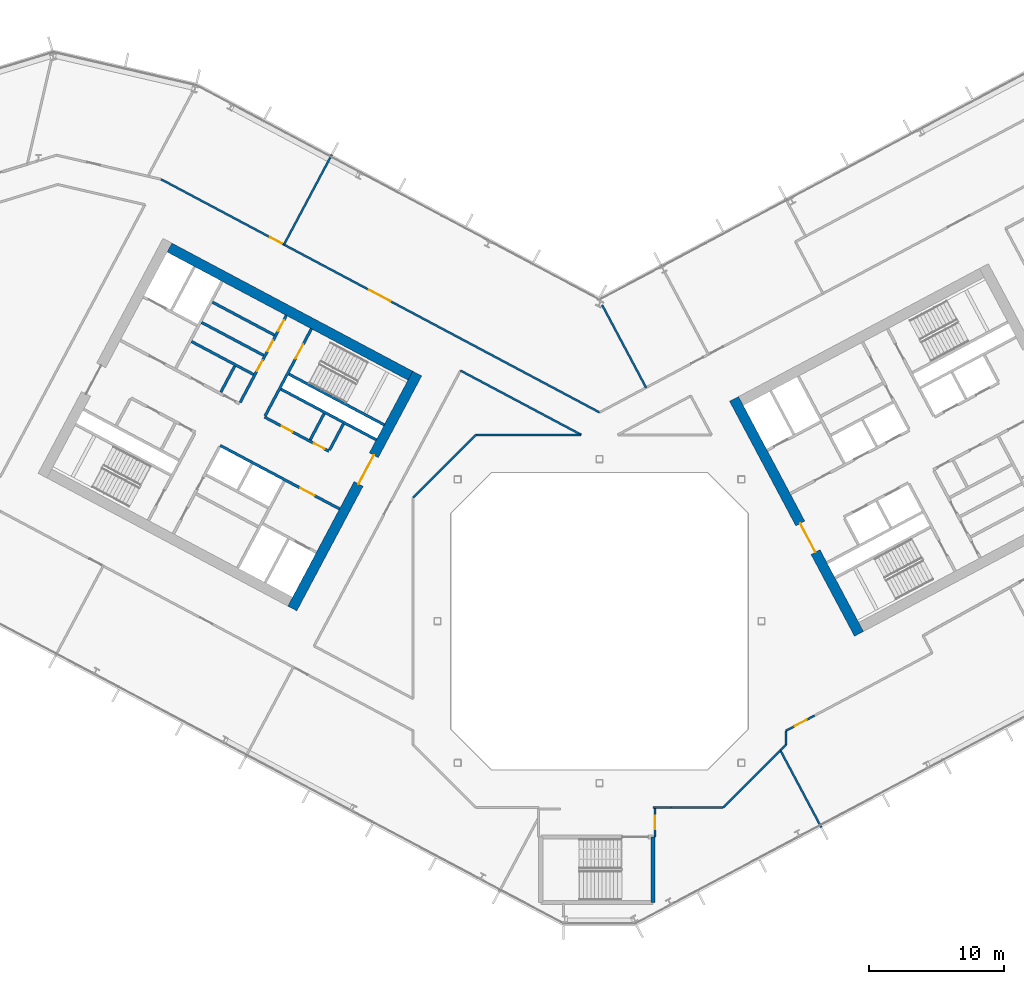
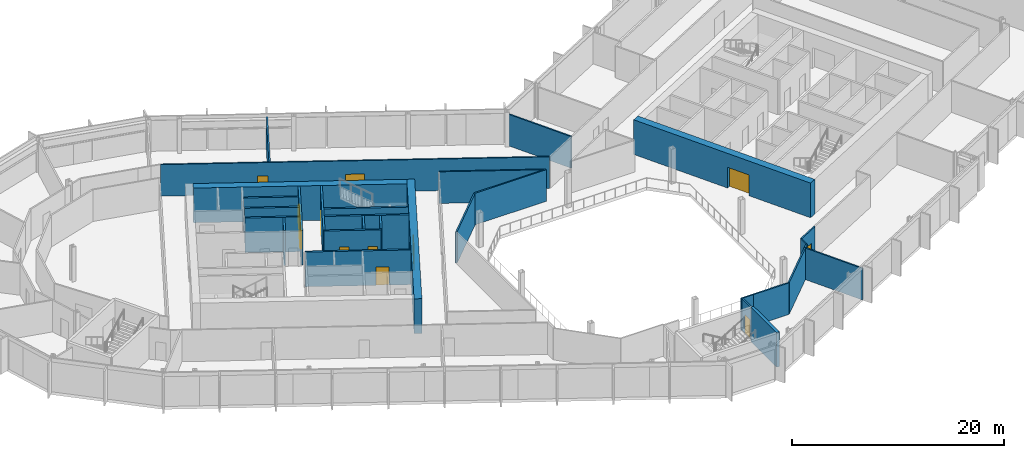
# One storey, part 15 of 28: 30 walls, 13 doors, 13 openings.
"""IFC4 building model written with IfcOpenShell, lengths in metres."""

from ifc_helpers import new_model, si_unit, direction, frame, frame_2d, origin, place, context, subcontext, project, spatial, rectangle, extrude, material, layer, layer_set, type_object, element, fill, save


model = new_model("IFC4")

# Units and contexts
model_context = context("Model", 3, precision=1e-05, world=origin(), true_north=direction((0.0, 1.0)))
body_context = subcontext(model_context, "Body", "Model", "MODEL_VIEW")
ifc_project = project(units=[si_unit("LENGTHUNIT", "METRE"), si_unit("AREAUNIT", "SQUARE_METRE"), si_unit("VOLUMEUNIT", "CUBIC_METRE"), si_unit("PLANEANGLEUNIT", "RADIAN"), si_unit("MASSUNIT", "GRAM", prefix="KILO")], contexts=[model_context])

# Site, building, storey
site_placement = place(None, origin())
site = spatial("IfcSite", under=ifc_project, at=site_placement, CompositionType="ELEMENT")
building_placement = place(site_placement, origin())
building = spatial("IfcBuilding", under=site, at=building_placement, Name="Cormorant Relay Tower", CompositionType="ELEMENT")
storey_placement = place(building_placement, frame((0.0, 0.0, 126.199951171875)))
storey = spatial("IfcBuildingStorey", under=building, at=storey_placement, Name="L25", CompositionType="ELEMENT", Elevation=126.199951171875)

# Walls
ifc_material_1 = material(Name="Concrete 40 MPa", Category="concrete")
ifc_layer_1 = layer(ifc_material_1, 0.199951171875)
ifc_layer_set_1 = layer_set([ifc_layer_1], Name="Core internal wall 200")
wall_type_1 = type_object("IfcWallType", Name="Core internal wall 200", PredefinedType="SOLIDWALL", material=ifc_layer_set_1)
for number, where, z_axis, x_axis, name in (
    (1, (-20.39013671875, 15.371826171875, 0.0), (0.0, 0.0, 1.0), (-0.4694473164, -0.882960484464, 0.0), "L25 core A shaft and room wall"),
    (2, (-27.01220703125, 18.892822265625, 0.0), (0.0, 0.0, 1.0), (-0.4694473164, -0.882960484464, 0.0), "L25 core A shaft and room wall"),
):
    element("IfcWall", number, at=place(storey_placement, frame(where, z_axis=z_axis, x_axis=x_axis)), inside=storey, type_object=wall_type_1, Name=name, PredefinedType="SOLIDWALL", context=body_context, shape_type="SweptSolid", body=[
        extrude(rectangle(XDim=2.199951171875, YDim=0.199951171875, at=frame_2d((1.10009765625, 0.0))), origin(), (0.0, 0.0, 1.0), 4.0),
    ])
for number, where, z_axis, x_axis, name in (
    (3, (-24.073974609375, 21.181396484375, 0.0), (0.0, 0.0, 1.0), (-0.882953967957, 0.469459572775, 0.0), "L25 core A shaft and room wall"),
    (4, (-24.8720703125, 19.680419921875, 0.0), (0.0, 0.0, 1.0), (-0.882953967957, 0.469459572775, 0.0), "L25 core A shaft and room wall"),
):
    element("IfcWall", number, at=place(storey_placement, frame(where, z_axis=z_axis, x_axis=x_axis)), inside=storey, type_object=wall_type_1, Name=name, PredefinedType="SOLIDWALL", context=body_context, shape_type="SweptSolid", body=[
        extrude(rectangle(XDim=5.199951171875, YDim=0.199951171875, at=frame_2d((2.60009765625, 0.0))), origin(), (0.0, 0.0, 1.0), 4.0),
    ])
ifc_material_2 = material(Name="Concrete 50 MPa", Category="concrete")
ifc_layer_2 = layer(ifc_material_2, 0.199951171875)
ifc_layer_set_2 = layer_set([ifc_layer_2], Name="Core shaft wall 200")
wall_type_2 = type_object("IfcWallType", Name="Core shaft wall 200", PredefinedType="SHEAR", material=ifc_layer_set_2)
wall_1_placement = place(storey_placement, frame((-18.959716796875, 14.611328125, 0.0), z_axis=(0.0, 0.0, 1.0), x_axis=(-0.4694473164, -0.882960484464, 0.0)))
element("IfcWall", 5, at=wall_1_placement, inside=storey, type_object=wall_type_2, Name="L25 core A shaft wall", PredefinedType="SHEAR", context=body_context, shape_type="SweptSolid", body=[
    extrude(rectangle(XDim=2.199951171875, YDim=0.199951171875, at=frame_2d((1.10009765625, 0.0))), origin(), (0.0, 0.0, 1.0), 4.0),
])

# Wall, opening, door
wall_2_placement = place(storey_placement, frame((-21.333251953125, 21.6494140625, 0.0), z_axis=(0.0, 0.0, 1.0), x_axis=(-0.469494272526, -0.882935517501, 0.0)))
wall_2 = element("IfcWall", 6, at=wall_2_placement, inside=storey, type_object=wall_type_2, Name="L25 core A shaft wall", PredefinedType="SHEAR", context=body_context, shape_type="SweptSolid", body=[
    extrude(rectangle(XDim=7.2998046875, YDim=0.199951171875, at=frame_2d((3.64990234375, 0.0))), origin(), (0.0, 0.0, 1.0), 4.0),
])
opening_1_placement = place(wall_2_placement, frame((1.300048828125, 0.0, 0.0)))
opening_1 = element("IfcOpeningElement", 7, at=opening_1_placement, cuts=wall_2, Name="Opening CDB-034", PredefinedType="OPENING", context=body_context, shape_type="SweptSolid", body=[
    extrude(rectangle(XDim=1.199951171875, YDim=2.10009765625, at=frame_2d((0.60009765625, 1.050048828125))), frame((0.0, 0.10986328125, 0.0), z_axis=(0.0, -1.0, 0.0), x_axis=(1.0, 0.0, 0.0)), (0.0, 0.0, 1.0), 0.219970703125),
])
ifc_material_3 = material(Name="Steel fire door", Category="steel")
door_type_1 = type_object("IfcDoorType", Name="Core stair door 1200x2100", OperationType="SINGLE_SWING_LEFT", PredefinedType="DOOR", material=ifc_material_3)
door_1_placement = place(opening_1_placement, origin())
door_1 = element("IfcDoor", 8, at=door_1_placement, inside=storey, type_object=door_type_1, Name="Core stair door 1200x2100", OperationType="SINGLE_SWING_RIGHT", OverallHeight=2.10009765625, OverallWidth=1.199951171875, PredefinedType="DOOR", context=body_context, shape_type="SweptSolid", body=[
    extrude(rectangle(XDim=1.199951171875, YDim=2.10009765625, at=frame_2d((0.60009765625, 1.050048828125))), frame((0.0, 0.02490234375, 0.0), z_axis=(0.0, -1.0, 0.0), x_axis=(1.0, 0.0, 0.0)), (0.0, 0.0, 1.0), 0.050048828125),
])
fill(opening_1, door_1)

# Wall, openings, doors
wall_3_placement = place(storey_placement, frame((-23.1875, 22.635498046875, 0.0), z_axis=(0.0, 0.0, 1.0), x_axis=(-0.469454336211, -0.882956752176, 0.0)))
wall_3 = element("IfcWall", 9, at=wall_3_placement, inside=storey, type_object=wall_type_2, Name="L25 core A shaft wall", PredefinedType="SHEAR", context=body_context, shape_type="SweptSolid", body=[
    extrude(rectangle(XDim=7.300048828125, YDim=0.199951171875, at=frame_2d((3.64990234375, 0.0))), origin(), (0.0, 0.0, 1.0), 4.0),
])
opening_2_placement = place(wall_3_placement, frame((0.39990234375, 0.0, 0.0)))
opening_2 = element("IfcOpeningElement", 10, at=opening_2_placement, cuts=wall_3, Name="Opening CDD-174", PredefinedType="OPENING", context=body_context, shape_type="SweptSolid", body=[
    extrude(rectangle(XDim=0.89990234375, YDim=2.10009765625, at=frame_2d((0.449951171875, 1.050048828125))), frame((0.0, 0.10986328125, 0.0), z_axis=(0.0, -1.0, 0.0), x_axis=(1.0, 0.0, 0.0)), (0.0, 0.0, 1.0), 0.219970703125),
])
opening_3_placement = place(wall_3_placement, frame((2.10009765625, 0.0, 0.0)))
opening_3 = element("IfcOpeningElement", 11, at=opening_3_placement, cuts=wall_3, Name="Opening CDD-175", PredefinedType="OPENING", context=body_context, shape_type="SweptSolid", body=[
    extrude(rectangle(XDim=0.89990234375, YDim=2.10009765625, at=frame_2d((0.449951171875, 1.050048828125))), frame((0.0, 0.10986328125, 0.0), z_axis=(0.0, -1.0, 0.0), x_axis=(1.0, 0.0, 0.0)), (0.0, 0.0, 1.0), 0.219970703125),
])
opening_4_placement = place(wall_3_placement, frame((3.75, 0.0, 0.0)))
opening_4 = element("IfcOpeningElement", 12, at=opening_4_placement, cuts=wall_3, Name="Opening CDD-176", PredefinedType="OPENING", context=body_context, shape_type="SweptSolid", body=[
    extrude(rectangle(XDim=0.89990234375, YDim=2.10009765625, at=frame_2d((0.449951171875, 1.050048828125))), frame((0.0, 0.10986328125, 0.0), z_axis=(0.0, -1.0, 0.0), x_axis=(1.0, 0.0, 0.0)), (0.0, 0.0, 1.0), 0.219970703125),
])
ifc_material_4 = material(Name="Steel fire door", Category="steel")
door_type_2 = type_object("IfcDoorType", Name="Core room door 900x2100", OperationType="SINGLE_SWING_LEFT", PredefinedType="DOOR", material=ifc_material_4)
door_2_placement = place(opening_2_placement, origin())
door_2 = element("IfcDoor", 13, at=door_2_placement, inside=storey, type_object=door_type_2, Name="Core room door 900x2100", OperationType="SINGLE_SWING_LEFT", OverallHeight=2.10009765625, OverallWidth=0.89990234375, PredefinedType="DOOR", context=body_context, shape_type="SweptSolid", body=[
    extrude(rectangle(XDim=0.89990234375, YDim=2.10009765625, at=frame_2d((0.449951171875, 1.050048828125))), frame((0.0, 0.02490234375, 0.0), z_axis=(0.0, -1.0, 0.0), x_axis=(1.0, 0.0, 0.0)), (0.0, 0.0, 1.0), 0.050048828125),
])
fill(opening_2, door_2)
door_3_placement = place(opening_3_placement, origin())
door_3 = element("IfcDoor", 14, at=door_3_placement, inside=storey, type_object=door_type_2, Name="Core room door 900x2100", OperationType="SINGLE_SWING_LEFT", OverallHeight=2.10009765625, OverallWidth=0.89990234375, PredefinedType="DOOR", context=body_context, shape_type="SweptSolid", body=[
    extrude(rectangle(XDim=0.89990234375, YDim=2.10009765625, at=frame_2d((0.449951171875, 1.050048828125))), frame((0.0, 0.02490234375, 0.0), z_axis=(0.0, -1.0, 0.0), x_axis=(1.0, 0.0, 0.0)), (0.0, 0.0, 1.0), 0.050048828125),
])
fill(opening_3, door_3)
door_4_placement = place(opening_4_placement, origin())
door_4 = element("IfcDoor", 15, at=door_4_placement, inside=storey, type_object=door_type_2, Name="Core room door 900x2100", OperationType="SINGLE_SWING_LEFT", OverallHeight=2.10009765625, OverallWidth=0.89990234375, PredefinedType="DOOR", context=body_context, shape_type="SweptSolid", body=[
    extrude(rectangle(XDim=0.89990234375, YDim=2.10009765625, at=frame_2d((0.449951171875, 1.050048828125))), frame((0.0, 0.02490234375, 0.0), z_axis=(0.0, -1.0, 0.0), x_axis=(1.0, 0.0, 0.0)), (0.0, 0.0, 1.0), 0.050048828125),
])
fill(opening_4, door_4)

# Walls
wall_4_placement = place(storey_placement, frame((-15.94189453125, 14.53564453125, 0.0), z_axis=(0.0, 0.0, 1.0), x_axis=(-0.882946947542, 0.469472776449, 0.0)))
element("IfcWall", 16, at=wall_4_placement, inside=storey, type_object=wall_type_2, Name="L25 core A shaft wall", PredefinedType="SHEAR", context=body_context, shape_type="SweptSolid", body=[
    extrude(rectangle(XDim=8.000244140625, YDim=0.199951171875, at=frame_2d((4.0, 0.0))), origin(), (0.0, 0.0, 1.0), 4.0),
])
wall_5_placement = place(storey_placement, frame((-16.52880859375, 13.43212890625, 0.0), z_axis=(0.0, 0.0, 1.0), x_axis=(-0.88295287151, 0.469461634952, 0.0)))
element("IfcWall", 17, at=wall_5_placement, inside=storey, type_object=wall_type_2, Name="L25 core A shaft wall", PredefinedType="SHEAR", context=body_context, shape_type="SweptSolid", body=[
    extrude(rectangle(XDim=7.999755859375, YDim=0.199951171875, at=frame_2d((4.0, 0.0))), origin(), (0.0, 0.0, 1.0), 4.0),
])
wall_6_placement = place(storey_placement, frame((-25.623046875, 18.267578125, 0.0), z_axis=(0.0, 0.0, 1.0), x_axis=(-0.882953967957, 0.469459572775, 0.0)))
element("IfcWall", 18, at=wall_6_placement, inside=storey, type_object=wall_type_2, Name="L25 core A shaft wall", PredefinedType="SHEAR", context=body_context, shape_type="SweptSolid", body=[
    extrude(rectangle(XDim=5.199951171875, YDim=0.199951171875, at=frame_2d((2.60009765625, 0.0))), origin(), (0.0, 0.0, 1.0), 4.0),
])

# Wall, openings, doors
wall_7_placement = place(storey_placement, frame((-20.03955078125, 12.58056640625, 0.0), z_axis=(0.0, 0.0, 1.0), x_axis=(-0.882942972946, 0.469480251476, 0.0)))
wall_7 = element("IfcWall", 19, at=wall_7_placement, inside=storey, type_object=wall_type_2, Name="L25 core A shaft wall", PredefinedType="SHEAR", context=body_context, shape_type="SweptSolid", body=[
    extrude(rectangle(XDim=5.39990234375, YDim=0.199951171875, at=frame_2d((2.699951171875, 0.0))), origin(), (0.0, 0.0, 1.0), 4.0),
])
opening_5_placement = place(wall_7_placement, frame((0.360107421875, 0.0, 0.0)))
opening_5 = element("IfcOpeningElement", 20, at=opening_5_placement, cuts=wall_7, Name="Opening CDD-168", PredefinedType="OPENING", context=body_context, shape_type="SweptSolid", body=[
    extrude(rectangle(XDim=0.89990234375, YDim=2.10009765625, at=frame_2d((0.449951171875, 1.050048828125))), frame((0.0, 0.10986328125, 0.0), z_axis=(0.0, -1.0, 0.0), x_axis=(1.0, 0.0, 0.0)), (0.0, 0.0, 1.0), 0.219970703125),
])
opening_6_placement = place(wall_7_placement, frame((3.06005859375, 0.0, 0.0)))
opening_6 = element("IfcOpeningElement", 21, at=opening_6_placement, cuts=wall_7, Name="Opening CDD-169", PredefinedType="OPENING", context=body_context, shape_type="SweptSolid", body=[
    extrude(rectangle(XDim=0.89990234375, YDim=2.10009765625, at=frame_2d((0.449951171875, 1.050048828125))), frame((0.0, 0.10986328125, 0.0), z_axis=(0.0, -1.0, 0.0), x_axis=(1.0, 0.0, 0.0)), (0.0, 0.0, 1.0), 0.219970703125),
])
door_5_placement = place(opening_5_placement, origin())
door_5 = element("IfcDoor", 22, at=door_5_placement, inside=storey, type_object=door_type_2, Name="Core room door 900x2100", OperationType="SINGLE_SWING_LEFT", OverallHeight=2.10009765625, OverallWidth=0.89990234375, PredefinedType="DOOR", context=body_context, shape_type="SweptSolid", body=[
    extrude(rectangle(XDim=0.89990234375, YDim=2.10009765625, at=frame_2d((0.449951171875, 1.050048828125))), frame((0.0, 0.02490234375, 0.0), z_axis=(0.0, -1.0, 0.0), x_axis=(1.0, 0.0, 0.0)), (0.0, 0.0, 1.0), 0.050048828125),
])
fill(opening_5, door_5)
door_6_placement = place(opening_6_placement, origin())
door_6 = element("IfcDoor", 23, at=door_6_placement, inside=storey, type_object=door_type_2, Name="Core room door 900x2100", OperationType="SINGLE_SWING_LEFT", OverallHeight=2.10009765625, OverallWidth=0.89990234375, PredefinedType="DOOR", context=body_context, shape_type="SweptSolid", body=[
    extrude(rectangle(XDim=0.89990234375, YDim=2.10009765625, at=frame_2d((0.449951171875, 1.050048828125))), frame((0.0, 0.02490234375, 0.0), z_axis=(0.0, -1.0, 0.0), x_axis=(1.0, 0.0, 0.0)), (0.0, 0.0, 1.0), 0.050048828125),
])
fill(opening_6, door_6)

# Wall, opening, door
wall_8_placement = place(storey_placement, frame((-19.251708984375, 8.31103515625, 0.0), z_axis=(0.0, 0.0, 1.0), x_axis=(-0.882955722218, 0.469456273365, 0.0)))
wall_8 = element("IfcWall", 24, at=wall_8_placement, inside=storey, type_object=wall_type_2, Name="L25 core A shaft wall", PredefinedType="SHEAR", context=body_context, shape_type="SweptSolid", body=[
    extrude(rectangle(XDim=10.0, YDim=0.199951171875, at=frame_2d((5.0, 0.0))), origin(), (0.0, 0.0, 1.0), 4.0),
])
opening_7_placement = place(wall_8_placement, frame((2.10009765625, 0.0, 0.0)))
opening_7 = element("IfcOpeningElement", 25, at=opening_7_placement, cuts=wall_8, Name="Opening CDC-025", PredefinedType="OPENING", context=body_context, shape_type="SweptSolid", body=[
    extrude(rectangle(XDim=1.199951171875, YDim=2.10009765625, at=frame_2d((0.60009765625, 1.050048828125))), frame((0.0, 0.10986328125, 0.0), z_axis=(0.0, -1.0, 0.0), x_axis=(1.0, 0.0, 0.0)), (0.0, 0.0, 1.0), 0.219970703125),
])
ifc_material_5 = material(Name="Steel fire door", Category="steel")
door_type_3 = type_object("IfcDoorType", Name="Core lobby door 1200x2100", OperationType="SINGLE_SWING_LEFT", PredefinedType="DOOR", material=ifc_material_5)
door_7_placement = place(opening_7_placement, origin())
door_7 = element("IfcDoor", 26, at=door_7_placement, inside=storey, type_object=door_type_3, Name="Core lobby door 1200x2100", OperationType="SINGLE_SWING_RIGHT", OverallHeight=2.10009765625, OverallWidth=1.199951171875, PredefinedType="DOOR", context=body_context, shape_type="SweptSolid", body=[
    extrude(rectangle(XDim=1.199951171875, YDim=2.10009765625, at=frame_2d((0.60009765625, 1.050048828125))), frame((0.0, 0.02490234375, 0.0), z_axis=(0.0, -1.0, 0.0), x_axis=(1.0, 0.0, 0.0)), (0.0, 0.0, 1.0), 0.050048828125),
])
fill(opening_7, door_7)

ifc_material_6 = material(Name="Concrete 60 MPa", Category="concrete")
ifc_layer_3 = layer(ifc_material_6, 0.75)
ifc_layer_set_3 = layer_set([ifc_layer_3], Name="Core wall 750")
wall_type_3 = type_object("IfcWallType", Name="Core wall 750", PredefinedType="SHEAR", material=ifc_layer_set_3)
wall_9_placement = place(storey_placement, frame((-13.498291015625, 18.3330078125, 0.0), z_axis=(0.0, 0.0, 1.0), x_axis=(-0.469469918705, -0.88294846703, 0.0)))
wall_9 = element("IfcWall", 27, at=wall_9_placement, inside=storey, type_object=wall_type_3, Name="L25 core A wall", PredefinedType="SHEAR", context=body_context, shape_type="SweptSolid", body=[
    extrude(rectangle(XDim=19.699951171875, YDim=0.75, at=frame_2d((9.85009765625, 0.0))), origin(), (0.0, 0.0, 1.0), 4.0),
])
opening_8_placement = place(wall_9_placement, frame((6.85009765625, 0.0, 0.0)))
opening_8 = element("IfcOpeningElement", 28, at=opening_8_placement, cuts=wall_9, Name="Opening CDA-026", PredefinedType="OPENING", context=body_context, shape_type="SweptSolid", body=[
    extrude(rectangle(XDim=2.39990234375, YDim=2.39990234375, at=frame_2d((1.199951171875, 1.199951171875))), frame((0.0, 0.385009765625, 0.0), z_axis=(0.0, -1.0, 0.0), x_axis=(1.0, 0.0, 0.0)), (0.0, 0.0, 1.0), 0.77001953125),
])
ifc_material_7 = material(Name="Steel fire door", Category="steel")
door_type_4 = type_object("IfcDoorType", Name="Core lobby door 2400x2400", OperationType="DOUBLE_DOOR_SINGLE_SWING", PredefinedType="DOOR", material=ifc_material_7)
door_8_placement = place(opening_8_placement, origin())
door_8 = element("IfcDoor", 29, at=door_8_placement, inside=storey, type_object=door_type_4, Name="Core lobby door 2400x2400", OperationType="DOUBLE_DOOR_SINGLE_SWING", OverallHeight=2.39990234375, OverallWidth=2.39990234375, PredefinedType="DOOR", context=body_context, shape_type="SweptSolid", body=[
    extrude(rectangle(XDim=2.39990234375, YDim=2.39990234375, at=frame_2d((1.199951171875, 1.199951171875))), frame((0.0, 0.02490234375, 0.0), z_axis=(0.0, -1.0, 0.0), x_axis=(1.0, 0.0, 0.0)), (0.0, 0.0, 1.0), 0.050048828125),
])
fill(opening_8, door_8)

# Wall
wall_10_placement = place(storey_placement, frame((-14.00537109375, 18.177978515625, 0.0), z_axis=(0.0, 0.0, 1.0), x_axis=(-0.88295010195, 0.469466843842, 0.0)))
element("IfcWall", 30, at=wall_10_placement, inside=storey, type_object=wall_type_3, Name="L25 core A wall", PredefinedType="SHEAR", context=body_context, shape_type="SweptSolid", body=[
    extrude(rectangle(XDim=20.199951171875, YDim=0.75, at=frame_2d((10.10009765625, 0.0))), origin(), (0.0, 0.0, 1.0), 4.0),
])

# Wall, opening, door
wall_11_placement = place(storey_placement, frame((19.215087890625, -0.93896484375, 0.0), z_axis=(0.0, 0.0, 1.0), x_axis=(-0.469479580143, 0.882943329908, 0.0)))
wall_11 = element("IfcWall", 31, at=wall_11_placement, inside=storey, type_object=wall_type_3, Name="L25 core B wall", PredefinedType="SHEAR", context=body_context, shape_type="SweptSolid", body=[
    extrude(rectangle(XDim=19.699951171875, YDim=0.75, at=frame_2d((9.85009765625, 0.0))), origin(), (0.0, 0.0, 1.0), 4.0),
])
opening_9_placement = place(wall_11_placement, frame((6.85009765625, 0.0, 0.0)))
opening_9 = element("IfcOpeningElement", 32, at=opening_9_placement, cuts=wall_11, Name="Opening CDA-028", PredefinedType="OPENING", context=body_context, shape_type="SweptSolid", body=[
    extrude(rectangle(XDim=2.39990234375, YDim=2.39990234375, at=frame_2d((1.199951171875, 1.199951171875))), frame((0.0, 0.385009765625, 0.0), z_axis=(0.0, -1.0, 0.0), x_axis=(1.0, 0.0, 0.0)), (0.0, 0.0, 1.0), 0.77001953125),
])
door_9_placement = place(opening_9_placement, frame((2.39990234375, 0.0, 0.0), z_axis=(0.0, 0.0, 1.0), x_axis=(-1.0, 0.0, 0.0)))
door_9 = element("IfcDoor", 33, at=door_9_placement, inside=storey, type_object=door_type_4, Name="Core lobby door 2400x2400", OperationType="DOUBLE_DOOR_SINGLE_SWING", OverallHeight=2.39990234375, OverallWidth=2.39990234375, PredefinedType="DOOR", context=body_context, shape_type="SweptSolid", body=[
    extrude(rectangle(XDim=2.39990234375, YDim=2.39990234375, at=frame_2d((1.199951171875, 1.199951171875))), frame((0.0, 0.02490234375, 0.0), z_axis=(0.0, -1.0, 0.0), x_axis=(1.0, 0.0, 0.0)), (0.0, 0.0, 1.0), 0.050048828125),
])
fill(opening_9, door_9)

# Wall, openings, doors
ifc_material_8 = material(Name="Gypsum board fire partition")
ifc_layer_4 = layer(ifc_material_8, 0.14990234375)
ifc_layer_set_4 = layer_set([ifc_layer_4], Name="Corridor partition 150 EI 60")
wall_type_4 = type_object("IfcWallType", Name="Corridor partition 150 EI 60", PredefinedType="PARTITIONING", material=ifc_layer_set_4)
wall_12_placement = place(storey_placement, frame((-32.469970703125, 32.72412109375, 0.0), z_axis=(0.0, 0.0, 1.0), x_axis=(0.88295243426, -0.469462457321, 0.0)))
wall_12 = element("IfcWall", 34, at=wall_12_placement, inside=storey, type_object=wall_type_4, Name="wall/L25/part/033", PredefinedType="PARTITIONING", context=body_context, shape_type="SweptSolid", body=[
    extrude(rectangle(XDim=36.7744140625, YDim=0.14990234375, at=frame_2d((18.38720703125, 0.0))), origin(), (0.0, 0.0, 1.0), 3.64013671875),
])
opening_10_placement = place(wall_12_placement, frame((17.449951171875, 0.0, 0.0)))
opening_10 = element("IfcOpeningElement", 35, at=opening_10_placement, cuts=wall_12, Name="Opening DD-004", PredefinedType="OPENING", context=body_context, shape_type="SweptSolid", body=[
    extrude(rectangle(XDim=1.800048828125, YDim=2.10009765625, at=frame_2d((0.89990234375, 1.050048828125))), frame((0.0, 0.0849609375, 0.0), z_axis=(0.0, -1.0, 0.0), x_axis=(1.0, 0.0, 0.0)), (0.0, 0.0, 1.0), 0.169921875),
])
opening_11_placement = place(wall_12_placement, frame((9.14990234375, 0.0, 0.0)))
opening_11 = element("IfcOpeningElement", 36, at=opening_11_placement, cuts=wall_12, Name="Opening DS-007", PredefinedType="OPENING", context=body_context, shape_type="SweptSolid", body=[
    extrude(rectangle(XDim=1.0, YDim=2.10009765625, at=frame_2d((0.5, 1.050048828125))), frame((0.0, 0.0849609375, 0.0), z_axis=(0.0, -1.0, 0.0), x_axis=(1.0, 0.0, 0.0)), (0.0, 0.0, 1.0), 0.169921875),
])
ifc_material_9 = material(Name="Timber door leaf", Category="wood")
door_type_5 = type_object("IfcDoorType", Name="Suite door 1000x2100", OperationType="SINGLE_SWING_LEFT", PredefinedType="DOOR", material=ifc_material_9)
door_10_placement = place(opening_11_placement, origin())
door_10 = element("IfcDoor", 37, at=door_10_placement, inside=storey, type_object=door_type_5, Name="door/L25/011", OperationType="SINGLE_SWING_RIGHT", OverallHeight=2.10009765625, OverallWidth=1.0, PredefinedType="DOOR", context=body_context, shape_type="SweptSolid", body=[
    extrude(rectangle(XDim=1.0, YDim=2.10009765625, at=frame_2d((0.5, 1.050048828125))), frame((0.0, 0.02490234375, 0.0), z_axis=(0.0, -1.0, 0.0), x_axis=(1.0, 0.0, 0.0)), (0.0, 0.0, 1.0), 0.050048828125),
])
fill(opening_11, door_10)
ifc_material_10 = material(Name="Timber door leaf", Category="wood")
door_type_6 = type_object("IfcDoorType", Name="Suite double door 1800x2100", OperationType="DOUBLE_DOOR_SINGLE_SWING", PredefinedType="DOOR", material=ifc_material_10)
door_11_placement = place(opening_10_placement, origin())
door_11 = element("IfcDoor", 38, at=door_11_placement, inside=storey, type_object=door_type_6, Name="door/L25/010", OperationType="DOUBLE_DOOR_SINGLE_SWING", OverallHeight=2.10009765625, OverallWidth=1.800048828125, PredefinedType="DOOR", context=body_context, shape_type="SweptSolid", body=[
    extrude(rectangle(XDim=1.800048828125, YDim=2.10009765625, at=frame_2d((0.89990234375, 1.050048828125))), frame((0.0, 0.02490234375, 0.0), z_axis=(0.0, -1.0, 0.0), x_axis=(1.0, 0.0, 0.0)), (0.0, 0.0, 1.0), 0.050048828125),
])
fill(opening_10, door_11)

# Wall, opening, door
wall_13_placement = place(storey_placement, frame((4.10009765625, -15.97509765625, 0.0), z_axis=(0.0, 0.0, 1.0), x_axis=(0.0, 1.0, 0.0)))
wall_13 = element("IfcWall", 39, at=wall_13_placement, inside=storey, type_object=wall_type_4, Name="wall/L25/part/045", PredefinedType="PARTITIONING", context=body_context, shape_type="SweptSolid", body=[
    extrude(rectangle(XDim=2.150146484375, YDim=0.14990234375, at=frame_2d((1.0751953125, 0.0))), origin(), (0.0, 0.0, 1.0), 3.64013671875),
])
opening_12_placement = place(wall_13_placement, frame((0.550048828125, 0.0, 0.0)))
opening_12 = element("IfcOpeningElement", 40, at=opening_12_placement, cuts=wall_13, Name="Opening DS-002", PredefinedType="OPENING", context=body_context, shape_type="SweptSolid", body=[
    extrude(rectangle(XDim=1.0, YDim=2.10009765625, at=frame_2d((0.5, 1.050048828125))), frame((0.0, 0.0849609375, 0.0), z_axis=(0.0, -1.0, 0.0), x_axis=(1.0, 0.0, 0.0)), (0.0, 0.0, 1.0), 0.169921875),
])
door_12_placement = place(opening_12_placement, frame((1.0, 0.0, 0.0), z_axis=(0.0, 0.0, 1.0), x_axis=(-1.0, 0.0, 0.0)))
door_12 = element("IfcDoor", 41, at=door_12_placement, inside=storey, type_object=door_type_5, Name="door/L25/003", OperationType="SINGLE_SWING_LEFT", OverallHeight=2.10009765625, OverallWidth=1.0, PredefinedType="DOOR", context=body_context, shape_type="SweptSolid", body=[
    extrude(rectangle(XDim=1.0, YDim=2.10009765625, at=frame_2d((0.5, 1.050048828125))), frame((0.0, 0.02490234375, 0.0), z_axis=(0.0, -1.0, 0.0), x_axis=(1.0, 0.0, 0.0)), (0.0, 0.0, 1.0), 0.050048828125),
])
fill(opening_12, door_12)

# Walls
wall_14_placement = place(storey_placement, frame((5.302978515625, -13.800048828125, 0.0), z_axis=(0.0, 0.0, 1.0), x_axis=(-1.0, 0.0, 0.0)))
element("IfcWall", 42, at=wall_14_placement, inside=storey, type_object=wall_type_4, Name="wall/L25/part/046", PredefinedType="PARTITIONING", context=body_context, shape_type="SweptSolid", body=[
    extrude(rectangle(XDim=1.35302734375, YDim=0.14990234375, at=frame_2d((0.676513671875, 0.0))), origin(), (0.0, 0.0, 1.0), 3.64013671875),
])
wall_15_placement = place(storey_placement, frame((13.39306640625, -9.56689453125, 0.0), z_axis=(0.0, 0.0, 1.0), x_axis=(-0.707106781187, -0.707106781187, 0.0)))
element("IfcWall", 43, at=wall_15_placement, inside=storey, type_object=wall_type_4, Name="wall/L25/part/048", PredefinedType="PARTITIONING", context=body_context, shape_type="SweptSolid", body=[
    extrude(rectangle(XDim=5.986572265625, YDim=0.14990234375, at=frame_2d((2.9931640625, 0.0))), origin(), (0.0, 0.0, 1.0), 3.64013671875),
])
wall_16_placement = place(storey_placement, frame((9.159912109375, -13.800048828125, 0.0), z_axis=(0.0, 0.0, 1.0), x_axis=(-1.0, 0.0, 0.0)))
element("IfcWall", 44, at=wall_16_placement, inside=storey, type_object=wall_type_4, Name="wall/L25/part/049", PredefinedType="PARTITIONING", context=body_context, shape_type="SweptSolid", body=[
    extrude(rectangle(XDim=3.85693359375, YDim=0.14990234375, at=frame_2d((1.928466796875, 0.0))), origin(), (0.0, 0.0, 1.0), 3.64013671875),
])
wall_17_placement = place(storey_placement, frame((13.800048828125, -8.14990234375, 0.0), z_axis=(0.0, 0.0, 1.0), x_axis=(0.0, -1.0, 0.0)))
element("IfcWall", 45, at=wall_17_placement, inside=storey, type_object=wall_type_4, Name="wall/L25/part/051", PredefinedType="PARTITIONING", context=body_context, shape_type="SweptSolid", body=[
    extrude(rectangle(XDim=1.010009765625, YDim=0.14990234375, at=frame_2d((0.5048828125, 0.0))), origin(), (0.0, 0.0, 1.0), 3.64013671875),
])
wall_18_placement = place(storey_placement, frame((13.800048828125, -9.159912109375, 0.0), z_axis=(0.0, 0.0, 1.0), x_axis=(-0.707106781187, -0.707106781187, 0.0)))
element("IfcWall", 46, at=wall_18_placement, inside=storey, type_object=wall_type_4, Name="wall/L25/part/052", PredefinedType="PARTITIONING", context=body_context, shape_type="SweptSolid", body=[
    extrude(rectangle(XDim=0.570068359375, YDim=0.14990234375, at=frame_2d((0.28515625, 0.0))), origin(), (0.0, 0.0, 1.0), 3.64013671875),
])

# Wall, opening, door
wall_19_placement = place(storey_placement, frame((13.800048828125, -8.1220703125, 0.0), z_axis=(0.0, 0.0, 1.0), x_axis=(0.883005513351, 0.469362613969, 0.0)))
wall_19 = element("IfcWall", 47, at=wall_19_placement, inside=storey, type_object=wall_type_4, Name="wall/L25/part/053", PredefinedType="PARTITIONING", context=body_context, shape_type="SweptSolid", body=[
    extrude(rectangle(XDim=2.409912109375, YDim=0.14990234375, at=frame_2d((1.205078125, 0.0))), origin(), (0.0, 0.0, 1.0), 3.64013671875),
])
opening_13_placement = place(wall_19_placement, frame((0.75, 0.0, 0.0)))
opening_13 = element("IfcOpeningElement", 48, at=opening_13_placement, cuts=wall_19, Name="Opening DS-003", PredefinedType="OPENING", context=body_context, shape_type="SweptSolid", body=[
    extrude(rectangle(XDim=1.0, YDim=2.10009765625, at=frame_2d((0.5, 1.050048828125))), frame((0.0, 0.0849609375, 0.0), z_axis=(0.0, -1.0, 0.0), x_axis=(1.0, 0.0, 0.0)), (0.0, 0.0, 1.0), 0.169921875),
])
door_13_placement = place(opening_13_placement, frame((1.0, 0.0, 0.0), z_axis=(0.0, 0.0, 1.0), x_axis=(-1.0, 0.0, 0.0)))
door_13 = element("IfcDoor", 49, at=door_13_placement, inside=storey, type_object=door_type_5, Name="door/L25/004", OperationType="SINGLE_SWING_RIGHT", OverallHeight=2.10009765625, OverallWidth=1.0, PredefinedType="DOOR", context=body_context, shape_type="SweptSolid", body=[
    extrude(rectangle(XDim=1.0, YDim=2.10009765625, at=frame_2d((0.5, 1.050048828125))), frame((0.0, 0.02490234375, 0.0), z_axis=(0.0, -1.0, 0.0), x_axis=(1.0, 0.0, 0.0)), (0.0, 0.0, 1.0), 0.050048828125),
])
fill(opening_13, door_13)

# Walls
wall_20_placement = place(storey_placement, frame((-10.2939453125, 18.554931640625, 0.0), z_axis=(0.0, 0.0, 1.0), x_axis=(0.882931500577, -0.469501826714, 0.0)))
element("IfcWall", 50, at=wall_20_placement, inside=storey, type_object=wall_type_4, Name="wall/L25/part/075", PredefinedType="PARTITIONING", context=body_context, shape_type="SweptSolid", body=[
    extrude(rectangle(XDim=10.12744140625, YDim=0.14990234375, at=frame_2d((5.063720703125, 0.0))), origin(), (0.0, 0.0, 1.0), 3.64013671875),
])
wall_21_placement = place(storey_placement, frame((-1.35205078125, 13.800048828125, 0.0), z_axis=(0.0, 0.0, 1.0), x_axis=(-1.0, 0.0, 0.0)))
element("IfcWall", 51, at=wall_21_placement, inside=storey, type_object=wall_type_4, Name="wall/L25/part/076", PredefinedType="PARTITIONING", context=body_context, shape_type="SweptSolid", body=[
    extrude(rectangle(XDim=7.807861328125, YDim=0.14990234375, at=frame_2d((3.90380859375, 0.0))), origin(), (0.0, 0.0, 1.0), 3.64013671875),
])
wall_22_placement = place(storey_placement, frame((-9.159912109375, 13.800048828125, 0.0), z_axis=(0.0, 0.0, 1.0), x_axis=(-0.707106781187, -0.707106781187, 0.0)))
element("IfcWall", 52, at=wall_22_placement, inside=storey, type_object=wall_type_4, Name="wall/L25/part/077", PredefinedType="PARTITIONING", context=body_context, shape_type="SweptSolid", body=[
    extrude(rectangle(XDim=6.562255859375, YDim=0.14990234375, at=frame_2d((3.28125, 0.0))), origin(), (0.0, 0.0, 1.0), 3.64013671875),
])
ifc_material_11 = material(Name="Concrete 50 MPa", Category="concrete")
ifc_layer_5 = layer(ifc_material_11, 0.300048828125)
ifc_layer_set_5 = layer_set([ifc_layer_5], Name="Remote stair wall 300")
wall_type_5 = type_object("IfcWallType", Name="Remote stair wall 300", PredefinedType="SHEAR", material=ifc_layer_set_5)
wall_23_placement = place(storey_placement, frame((3.949951171875, -15.97509765625, 0.0), z_axis=(0.0, 0.0, 1.0), x_axis=(0.0, -1.0, 0.0)))
element("IfcWall", 53, at=wall_23_placement, inside=storey, type_object=wall_type_5, Name="L25 exit stair RK1 wall", PredefinedType="SHEAR", context=body_context, shape_type="SweptSolid", body=[
    extrude(rectangle(XDim=4.849853515625, YDim=0.300048828125, at=frame_2d((2.4248046875, 0.0))), origin(), (0.0, 0.0, 1.0), 4.0),
])
ifc_material_12 = material(Name="Gypsum board partition")
ifc_layer_6 = layer(ifc_material_12, 0.14990234375)
ifc_layer_set_6 = layer_set([ifc_layer_6], Name="Tenant partition 150")
wall_type_6 = type_object("IfcWallType", Name="Tenant partition 150", PredefinedType="PARTITIONING", material=ifc_layer_set_6)
wall_24_placement = place(storey_placement, frame((-19.822021484375, 34.550048828125, 0.0), z_axis=(0.0, 0.0, 1.0), x_axis=(-0.469426325488, -0.88297164447, 0.0)))
element("IfcWall", 54, at=wall_24_placement, inside=storey, type_object=wall_type_6, Name="wall/L25/part/035", PredefinedType="PARTITIONING", context=body_context, shape_type="SweptSolid", body=[
    extrude(rectangle(XDim=7.549560546875, YDim=0.14990234375, at=frame_2d((3.77490234375, 0.0))), origin(), (0.0, 0.0, 1.0), 3.64013671875),
])
wall_25_placement = place(storey_placement, frame((0.19091796875, 23.422119140625, 0.0), z_axis=(0.0, 0.0, 1.0), x_axis=(0.46954180368, -0.882910241529, 0.0)))
element("IfcWall", 55, at=wall_25_placement, inside=storey, type_object=wall_type_6, Name="wall/L25/part/036", PredefinedType="PARTITIONING", context=body_context, shape_type="SweptSolid", body=[
    extrude(rectangle(XDim=6.94091796875, YDim=0.14990234375, at=frame_2d((3.470458984375, 0.0))), origin(), (0.0, 0.0, 1.0), 3.64013671875),
])
wall_26_placement = place(storey_placement, frame((13.39306640625, -9.56689453125, 0.0), z_axis=(0.0, 0.0, 1.0), x_axis=(0.469578527863, -0.882890710207, 0.0)))
element("IfcWall", 56, at=wall_26_placement, inside=storey, type_object=wall_type_6, Name="wall/L25/part/050", PredefinedType="PARTITIONING", context=body_context, shape_type="SweptSolid", body=[
    extrude(rectangle(XDim=6.465087890625, YDim=0.14990234375, at=frame_2d((3.232421875, 0.0))), origin(), (0.0, 0.0, 1.0), 3.64013671875),
])

save(model, "model.ifc")
